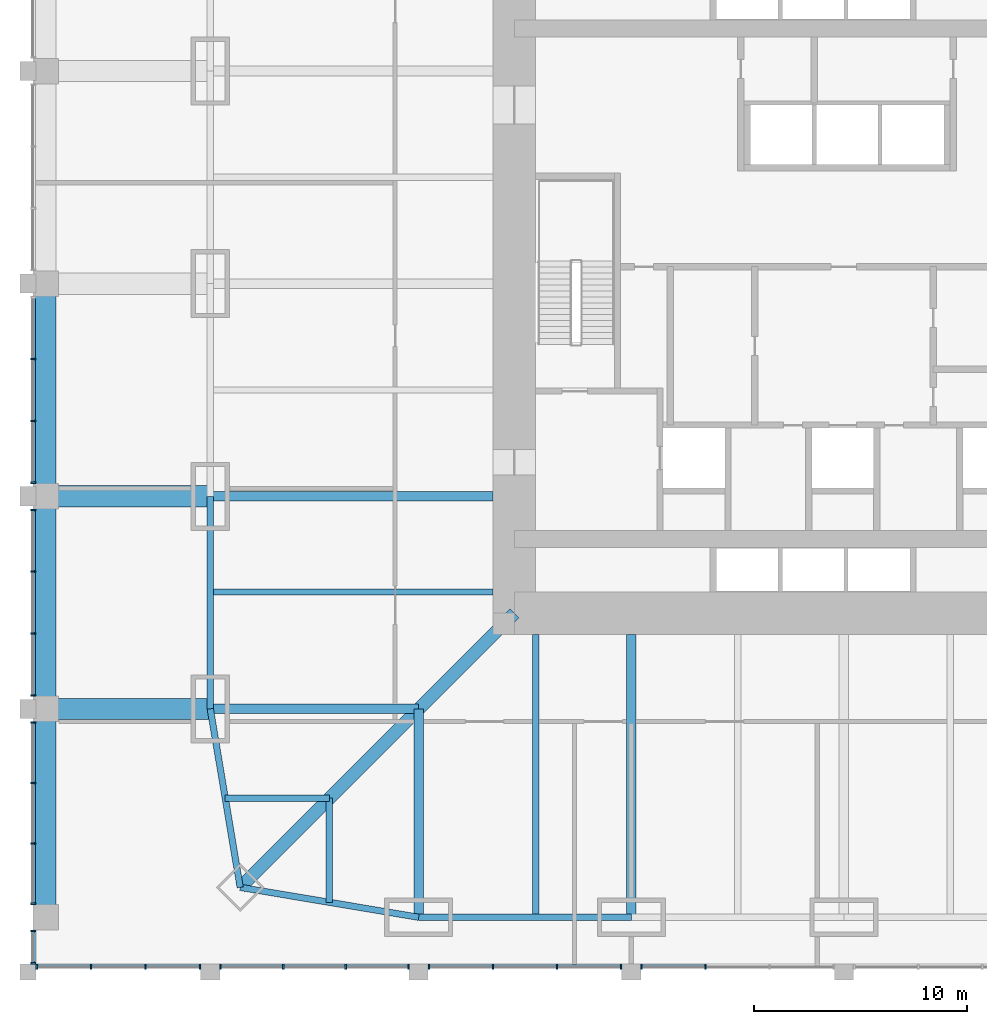
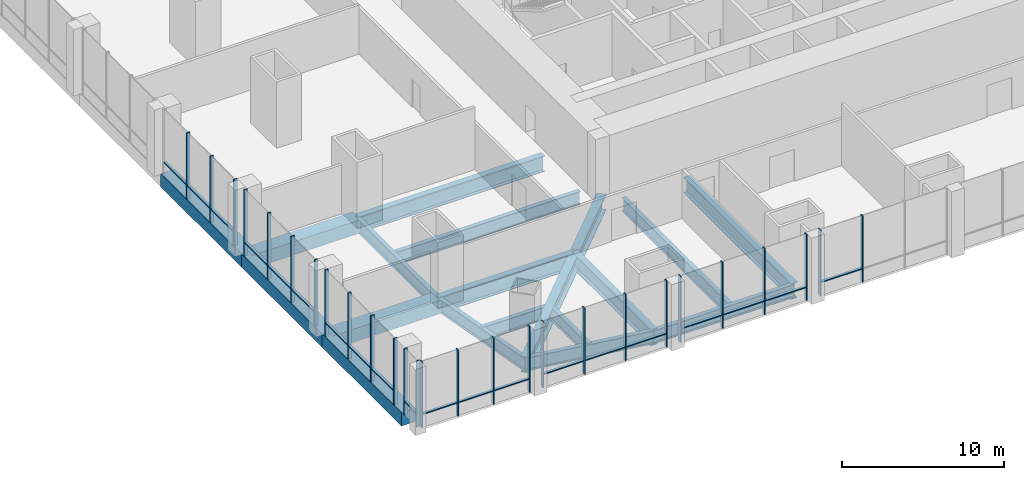
# One storey, part 2 of 24: 47 members, 18 beams, 8 elements without a shape of their own.
"""IFC4 building model written with IfcOpenShell, lengths in metres."""

from ifc_helpers import new_model, si_unit, direction, frame, origin, origin_2d, place, context, subcontext, project, spatial, rectangle, i_section, extrude, material, material_profile, profile_set, type_object, element, aggregate, save


model = new_model("IFC4")

# Units and contexts
model_context = context("Model", 3, precision=1e-05, world=origin(), true_north=direction((0.0, 1.0)))
body_context = subcontext(model_context, "Body", "Model", "MODEL_VIEW")
ifc_project = project(units=[si_unit("LENGTHUNIT", "METRE"), si_unit("AREAUNIT", "SQUARE_METRE"), si_unit("VOLUMEUNIT", "CUBIC_METRE"), si_unit("PLANEANGLEUNIT", "RADIAN"), si_unit("MASSUNIT", "GRAM", prefix="KILO")], contexts=[model_context])

# Site, building, storey
site_placement = place(None, origin())
site = spatial("IfcSite", under=ifc_project, at=site_placement, CompositionType="ELEMENT")
building_placement = place(site_placement, origin())
building = spatial("IfcBuilding", under=site, at=building_placement, Name="Khuree Lantern Residences", CompositionType="ELEMENT")
storey_placement = place(building_placement, frame((0.0, 0.0, 6.0)))
storey = spatial("IfcBuildingStorey", under=building, at=storey_placement, Name="L01", CompositionType="ELEMENT", Elevation=6.0)

# Beams
ifc_material_1 = material(Name="Steel S355", Category="steel")
ifc_material_profile_1 = material_profile(ifc_material_1, i_section(OverallWidth=0.300048828125, OverallDepth=1.0, WebThickness=0.01904296875, FlangeThickness=0.035888671875, FilletRadius=0.030029296875, at=origin_2d()), Name="HE 1000 B")
ifc_profile_set_1 = profile_set([ifc_material_profile_1], Name="Steel S355")
beam_type_1 = type_object("IfcBeamType", Name="B-01 SECONDARY BEAM HE 1000 B", PredefinedType="BEAM", material=ifc_profile_set_1)
beam_1_placement = place(storey_placement, frame((-14.5, -29.800048828125, -0.800048828125), z_axis=(0.0, 1.0, 0.0), x_axis=(-1.0, 0.0, 0.0)))
element("IfcBeam", 1, at=beam_1_placement, inside=storey, type_object=beam_type_1, Name="Secondary beam S5", PredefinedType="BEAM", context=body_context, shape_type="SweptSolid", body=[
    extrude(i_section(OverallWidth=0.300048828125, OverallDepth=1.0, WebThickness=0.01904296875, FlangeThickness=0.035888671875, FilletRadius=0.030029296875, at=origin_2d()), origin(), (0.0, 0.0, 1.0), 13.300048828125),
])
for number, where, z_axis, x_axis, name in (
    (2, (-24.197021484375, -29.09716796875, -0.800048828125), (0.0, 1.0, 0.0), (-1.0, 0.0, 0.0), "Secondary beam S6"),
    (3, (-29.09716796875, -24.197021484375, -0.800048828125), (1.0, 0.0, 0.0), (0.0, 1.0, 0.0), "Secondary beam W1"),
):
    element("IfcBeam", number, at=place(storey_placement, frame(where, z_axis=z_axis, x_axis=x_axis)), inside=storey, type_object=beam_type_1, Name=name, PredefinedType="BEAM", context=body_context, shape_type="SweptSolid", body=[
        extrude(i_section(OverallWidth=0.300048828125, OverallDepth=1.0, WebThickness=0.01904296875, FlangeThickness=0.035888671875, FilletRadius=0.030029296875, at=origin_2d()), origin(), (0.0, 0.0, 1.0), 4.900146484375),
    ])
beam_2_placement = place(storey_placement, frame((-29.800048828125, -14.5, -0.800048828125), z_axis=(1.0, 0.0, 0.0), x_axis=(0.0, 1.0, 0.0)))
element("IfcBeam", 4, at=beam_2_placement, inside=storey, type_object=beam_type_1, Name="Secondary beam W2", PredefinedType="BEAM", context=body_context, shape_type="SweptSolid", body=[
    extrude(i_section(OverallWidth=0.300048828125, OverallDepth=1.0, WebThickness=0.01904296875, FlangeThickness=0.035888671875, FilletRadius=0.030029296875, at=origin_2d()), origin(), (0.0, 0.0, 1.0), 13.300048828125),
])
ifc_material_profile_2 = material_profile(ifc_material_1, i_section(OverallWidth=0.300048828125, OverallDepth=1.0, WebThickness=0.01904296875, FlangeThickness=0.035888671875, FilletRadius=0.030029296875, at=origin_2d()), Name="HE 1000 B")
ifc_profile_set_2 = profile_set([ifc_material_profile_2], Name="Steel S355")
beam_type_2 = type_object("IfcBeamType", Name="E-01 SPANDREL BEAM HE 1000 B", PredefinedType="SPANDREL", material=ifc_profile_set_2)
beam_3_placement = place(storey_placement, frame((-10.0, -29.800048828125, -0.800048828125), z_axis=(-1.0, 0.0, 0.0), x_axis=(0.0, -1.0, 0.0)))
element("IfcBeam", 5, at=beam_3_placement, inside=storey, type_object=beam_type_2, Name="Spandrel beam S5", PredefinedType="SPANDREL", context=body_context, shape_type="SweptSolid", body=[
    extrude(i_section(OverallWidth=0.300048828125, OverallDepth=1.0, WebThickness=0.01904296875, FlangeThickness=0.035888671875, FilletRadius=0.030029296875, at=origin_2d()), origin(), (0.0, 0.0, 1.0), 10.0),
])
for number, where, z_axis, x_axis, name in (
    (6, (-20.0, -29.800048828125, -0.800048828125), (-0.986260251158, 0.165199022349, 0.0), (-0.165199022349, -0.986260251158, 0.0), "Spandrel beam S6"),
    (7, (-28.39404296875, -28.39404296875, -0.800048828125), (-0.165199022349, 0.986260251158, 0.0), (-0.986260251158, -0.165199022349, 0.0), "Spandrel beam W1"),
):
    element("IfcBeam", number, at=place(storey_placement, frame(where, z_axis=z_axis, x_axis=x_axis)), inside=storey, type_object=beam_type_2, Name=name, PredefinedType="SPANDREL", context=body_context, shape_type="SweptSolid", body=[
        extrude(i_section(OverallWidth=0.300048828125, OverallDepth=1.0, WebThickness=0.01904296875, FlangeThickness=0.035888671875, FilletRadius=0.030029296875, at=origin_2d()), origin(), (0.0, 0.0, 1.0), 8.510986328125),
    ])
beam_4_placement = place(storey_placement, frame((-29.800048828125, -20.0, -0.800048828125), z_axis=(0.0, 1.0, 0.0), x_axis=(-1.0, 0.0, 0.0)))
element("IfcBeam", 8, at=beam_4_placement, inside=storey, type_object=beam_type_2, Name="Spandrel beam W2", PredefinedType="SPANDREL", context=body_context, shape_type="SweptSolid", body=[
    extrude(i_section(OverallWidth=0.300048828125, OverallDepth=1.0, WebThickness=0.01904296875, FlangeThickness=0.035888671875, FilletRadius=0.030029296875, at=origin_2d()), origin(), (0.0, 0.0, 1.0), 10.0),
])
ifc_material_profile_3 = material_profile(ifc_material_1, i_section(OverallWidth=0.449951171875, OverallDepth=1.199951171875, WebThickness=0.02490234375, FlangeThickness=0.044921875, at=origin_2d()), Name="WELDED I 1200X450X25X45")
ifc_profile_set_3 = profile_set([ifc_material_profile_3], Name="Steel S355")
beam_type_3 = type_object("IfcBeamType", Name="G-01 GIRDER WELDED I 1200X450X25X45", PredefinedType="BEAM", material=ifc_profile_set_3)
beam_5_placement = place(storey_placement, frame((-10.0, -29.800048828125, -0.89990234375), z_axis=(0.0, 1.0, 0.0), x_axis=(-1.0, 0.0, 0.0)))
element("IfcBeam", 9, at=beam_5_placement, inside=storey, type_object=beam_type_3, Name="Girder S4", PredefinedType="BEAM", context=body_context, shape_type="SweptSolid", body=[
    extrude(i_section(OverallWidth=0.449951171875, OverallDepth=1.199951171875, WebThickness=0.02490234375, FlangeThickness=0.044921875, at=origin_2d()), origin(), (0.0, 0.0, 1.0), 13.300048828125),
])
for number, where, z_axis, x_axis, name in (
    (10, (-20.0, -29.800048828125, -0.89990234375), (0.0, 1.0, 0.0), (-1.0, 0.0, 0.0), "Girder S5"),
    (11, (-29.800048828125, -20.0, -0.89990234375), (1.0, 0.0, 0.0), (0.0, 1.0, 0.0), "Girder W1"),
):
    element("IfcBeam", number, at=place(storey_placement, frame(where, z_axis=z_axis, x_axis=x_axis)), inside=storey, type_object=beam_type_3, Name=name, PredefinedType="BEAM", context=body_context, shape_type="SweptSolid", body=[
        extrude(i_section(OverallWidth=0.449951171875, OverallDepth=1.199951171875, WebThickness=0.02490234375, FlangeThickness=0.044921875, at=origin_2d()), origin(), (0.0, 0.0, 1.0), 9.800048828125),
    ])
beam_6_placement = place(storey_placement, frame((-29.800048828125, -10.0, -0.89990234375), z_axis=(1.0, 0.0, 0.0), x_axis=(0.0, 1.0, 0.0)))
element("IfcBeam", 12, at=beam_6_placement, inside=storey, type_object=beam_type_3, Name="Girder W2", PredefinedType="BEAM", context=body_context, shape_type="SweptSolid", body=[
    extrude(i_section(OverallWidth=0.449951171875, OverallDepth=1.199951171875, WebThickness=0.02490234375, FlangeThickness=0.044921875, at=origin_2d()), origin(), (0.0, 0.0, 1.0), 13.300048828125),
])
ifc_material_profile_4 = material_profile(ifc_material_1, i_section(OverallWidth=0.60009765625, OverallDepth=1.199951171875, WebThickness=0.030029296875, FlangeThickness=0.06005859375, at=origin_2d()), Name="WELDED I 1200X600X30X60")
ifc_profile_set_4 = profile_set([ifc_material_profile_4], Name="Steel S355")
beam_type_4 = type_object("IfcBeamType", Name="GD-01 CORNER GIRDER WELDED I 1200X600X30X60", PredefinedType="BEAM", material=ifc_profile_set_4)
beam_7_placement = place(storey_placement, frame((-28.39404296875, -28.39404296875, -0.89990234375), z_axis=(0.707106781187, 0.707106781187, 0.0), x_axis=(-0.707106781187, 0.707106781187, 0.0)))
element("IfcBeam", 13, at=beam_7_placement, inside=storey, type_object=beam_type_4, Name="Corner girder SW", PredefinedType="BEAM", context=body_context, shape_type="SweptSolid", body=[
    extrude(i_section(OverallWidth=0.60009765625, OverallDepth=1.199951171875, WebThickness=0.030029296875, FlangeThickness=0.06005859375, at=origin_2d()), origin(), (0.0, 0.0, 1.0), 18.23486328125),
])

# Curtain wall, members
ifc_material_2 = material(Name="Bronze anodised aluminium", Category="aluminium")
curtain_wall_type = type_object("IfcCurtainWallType", Name="CW-P PODIUM STOREFRONT CURTAIN WALL", PredefinedType="USERDEFINED", material=ifc_material_2)
curtain_wall_1_placement = place(storey_placement, origin())
curtain_wall_1 = element("IfcCurtainWall", 14, at=curtain_wall_1_placement, inside=storey, type_object=curtain_wall_type, Name="L01 SOUTH FACE BAY 1 STOREFRONT", ObjectType="Storefront curtain wall", PredefinedType="USERDEFINED")
ifc_material_profile_5 = material_profile(ifc_material_2, rectangle(XDim=0.074951171875, YDim=0.25, at=origin_2d()), Name="M5 75X250")
ifc_profile_set_5 = profile_set([ifc_material_profile_5], Name="Bronze anodised aluminium")
member_type_1 = type_object("IfcMemberType", Name="MULLION M5 STOREFRONT 75X250", PredefinedType="MULLION", material=ifc_profile_set_5)
member_1_placement = place(storey_placement, frame((-37.96240234375, -32.125, 0.0), z_axis=(0.0, 0.0, 1.0), x_axis=(1.0, 0.0, 0.0)))
member_1 = element("IfcMember", 15, at=member_1_placement, type_object=member_type_1, Name="L01 SOUTH FACE BAY 1 MULLION 1", PredefinedType="MULLION", context=body_context, shape_type="SweptSolid", body=[
    extrude(rectangle(XDim=0.074951171875, YDim=0.25, at=origin_2d()), origin(), (0.0, 0.0, 1.0), 5.0),
])
member_2_placement = place(storey_placement, frame((-35.404052734375, -32.125, 0.0), z_axis=(0.0, 0.0, 1.0), x_axis=(1.0, 0.0, 0.0)))
member_2 = element("IfcMember", 16, at=member_2_placement, type_object=member_type_1, Name="L01 SOUTH FACE BAY 1 MULLION 2", PredefinedType="MULLION", context=body_context, shape_type="SweptSolid", body=[
    extrude(rectangle(XDim=0.074951171875, YDim=0.25, at=origin_2d()), origin(), (0.0, 0.0, 1.0), 5.0),
])
member_3_placement = place(storey_placement, frame((-32.845947265625, -32.125, 0.0), z_axis=(0.0, 0.0, 1.0), x_axis=(1.0, 0.0, 0.0)))
member_3 = element("IfcMember", 17, at=member_3_placement, type_object=member_type_1, Name="L01 SOUTH FACE BAY 1 MULLION 3", PredefinedType="MULLION", context=body_context, shape_type="SweptSolid", body=[
    extrude(rectangle(XDim=0.074951171875, YDim=0.25, at=origin_2d()), origin(), (0.0, 0.0, 1.0), 5.0),
])
member_4_placement = place(storey_placement, frame((-30.28759765625, -32.125, 0.0), z_axis=(0.0, 0.0, 1.0), x_axis=(1.0, 0.0, 0.0)))
member_4 = element("IfcMember", 18, at=member_4_placement, type_object=member_type_1, Name="L01 SOUTH FACE BAY 1 MULLION 4", PredefinedType="MULLION", context=body_context, shape_type="SweptSolid", body=[
    extrude(rectangle(XDim=0.074951171875, YDim=0.25, at=origin_2d()), origin(), (0.0, 0.0, 1.0), 5.0),
])

curtain_wall_2_placement = place(storey_placement, origin())
curtain_wall_2 = element("IfcCurtainWall", 19, at=curtain_wall_2_placement, inside=storey, type_object=curtain_wall_type, Name="L01 SOUTH FACE BAY 2 STOREFRONT", ObjectType="Storefront curtain wall", PredefinedType="USERDEFINED")
member_5_placement = place(storey_placement, frame((-29.3125, -32.125, 0.0), z_axis=(0.0, 0.0, 1.0), x_axis=(1.0, 0.0, 0.0)))
member_5 = element("IfcMember", 20, at=member_5_placement, type_object=member_type_1, Name="L01 SOUTH FACE BAY 2 MULLION 1", PredefinedType="MULLION", context=body_context, shape_type="SweptSolid", body=[
    extrude(rectangle(XDim=0.074951171875, YDim=0.25, at=origin_2d()), origin(), (0.0, 0.0, 1.0), 5.0),
])
member_6_placement = place(storey_placement, frame((-26.370849609375, -32.125, 0.0), z_axis=(0.0, 0.0, 1.0), x_axis=(1.0, 0.0, 0.0)))
member_6 = element("IfcMember", 21, at=member_6_placement, type_object=member_type_1, Name="L01 SOUTH FACE BAY 2 MULLION 2", PredefinedType="MULLION", context=body_context, shape_type="SweptSolid", body=[
    extrude(rectangle(XDim=0.074951171875, YDim=0.25, at=origin_2d()), origin(), (0.0, 0.0, 1.0), 5.0),
])
member_7_placement = place(storey_placement, frame((-23.42919921875, -32.125, 0.0), z_axis=(0.0, 0.0, 1.0), x_axis=(1.0, 0.0, 0.0)))
member_7 = element("IfcMember", 22, at=member_7_placement, type_object=member_type_1, Name="L01 SOUTH FACE BAY 2 MULLION 3", PredefinedType="MULLION", context=body_context, shape_type="SweptSolid", body=[
    extrude(rectangle(XDim=0.074951171875, YDim=0.25, at=origin_2d()), origin(), (0.0, 0.0, 1.0), 5.0),
])
member_8_placement = place(storey_placement, frame((-20.487548828125, -32.125, 0.0), z_axis=(0.0, 0.0, 1.0), x_axis=(1.0, 0.0, 0.0)))
member_8 = element("IfcMember", 23, at=member_8_placement, type_object=member_type_1, Name="L01 SOUTH FACE BAY 2 MULLION 4", PredefinedType="MULLION", context=body_context, shape_type="SweptSolid", body=[
    extrude(rectangle(XDim=0.074951171875, YDim=0.25, at=origin_2d()), origin(), (0.0, 0.0, 1.0), 5.0),
])

curtain_wall_3_placement = place(storey_placement, origin())
curtain_wall_3 = element("IfcCurtainWall", 24, at=curtain_wall_3_placement, inside=storey, type_object=curtain_wall_type, Name="L01 SOUTH FACE BAY 3 STOREFRONT", ObjectType="Storefront curtain wall", PredefinedType="USERDEFINED")
member_9_placement = place(storey_placement, frame((-19.512451171875, -32.125, 0.0), z_axis=(0.0, 0.0, 1.0), x_axis=(1.0, 0.0, 0.0)))
member_9 = element("IfcMember", 25, at=member_9_placement, type_object=member_type_1, Name="L01 SOUTH FACE BAY 3 MULLION 1", PredefinedType="MULLION", context=body_context, shape_type="SweptSolid", body=[
    extrude(rectangle(XDim=0.074951171875, YDim=0.25, at=origin_2d()), origin(), (0.0, 0.0, 1.0), 5.0),
])
member_10_placement = place(storey_placement, frame((-16.504150390625, -32.125, 0.0), z_axis=(0.0, 0.0, 1.0), x_axis=(1.0, 0.0, 0.0)))
member_10 = element("IfcMember", 26, at=member_10_placement, type_object=member_type_1, Name="L01 SOUTH FACE BAY 3 MULLION 2", PredefinedType="MULLION", context=body_context, shape_type="SweptSolid", body=[
    extrude(rectangle(XDim=0.074951171875, YDim=0.25, at=origin_2d()), origin(), (0.0, 0.0, 1.0), 5.0),
])
member_11_placement = place(storey_placement, frame((-13.495849609375, -32.125, 0.0), z_axis=(0.0, 0.0, 1.0), x_axis=(1.0, 0.0, 0.0)))
member_11 = element("IfcMember", 27, at=member_11_placement, type_object=member_type_1, Name="L01 SOUTH FACE BAY 3 MULLION 3", PredefinedType="MULLION", context=body_context, shape_type="SweptSolid", body=[
    extrude(rectangle(XDim=0.074951171875, YDim=0.25, at=origin_2d()), origin(), (0.0, 0.0, 1.0), 5.0),
])
member_12_placement = place(storey_placement, frame((-10.487548828125, -32.125, 0.0), z_axis=(0.0, 0.0, 1.0), x_axis=(1.0, 0.0, 0.0)))
member_12 = element("IfcMember", 28, at=member_12_placement, type_object=member_type_1, Name="L01 SOUTH FACE BAY 3 MULLION 4", PredefinedType="MULLION", context=body_context, shape_type="SweptSolid", body=[
    extrude(rectangle(XDim=0.074951171875, YDim=0.25, at=origin_2d()), origin(), (0.0, 0.0, 1.0), 5.0),
])

curtain_wall_4_placement = place(storey_placement, origin())
curtain_wall_4 = element("IfcCurtainWall", 29, at=curtain_wall_4_placement, inside=storey, type_object=curtain_wall_type, Name="L01 SOUTH FACE BAY 4 STOREFRONT", ObjectType="Storefront curtain wall", PredefinedType="USERDEFINED")
member_13_placement = place(storey_placement, frame((-9.512451171875, -32.125, 0.0), z_axis=(0.0, 0.0, 1.0), x_axis=(1.0, 0.0, 0.0)))
member_13 = element("IfcMember", 30, at=member_13_placement, type_object=member_type_1, Name="L01 SOUTH FACE BAY 4 MULLION 1", PredefinedType="MULLION", context=body_context, shape_type="SweptSolid", body=[
    extrude(rectangle(XDim=0.074951171875, YDim=0.25, at=origin_2d()), origin(), (0.0, 0.0, 1.0), 5.0),
])
member_14_placement = place(storey_placement, frame((-6.504150390625, -32.125, 0.0), z_axis=(0.0, 0.0, 1.0), x_axis=(1.0, 0.0, 0.0)))
member_14 = element("IfcMember", 31, at=member_14_placement, type_object=member_type_1, Name="L01 SOUTH FACE BAY 4 MULLION 2", PredefinedType="MULLION", context=body_context, shape_type="SweptSolid", body=[
    extrude(rectangle(XDim=0.074951171875, YDim=0.25, at=origin_2d()), origin(), (0.0, 0.0, 1.0), 5.0),
])

curtain_wall_5_placement = place(storey_placement, origin())
curtain_wall_5 = element("IfcCurtainWall", 32, at=curtain_wall_5_placement, inside=storey, type_object=curtain_wall_type, Name="L01 WEST FACE BAY 6 STOREFRONT", ObjectType="Storefront curtain wall", PredefinedType="USERDEFINED")
member_15_placement = place(storey_placement, frame((-38.125, -3.5458984375, 0.0), z_axis=(0.0, 0.0, 1.0), x_axis=(0.0, -1.0, 0.0)))
member_15 = element("IfcMember", 33, at=member_15_placement, type_object=member_type_1, Name="L01 WEST FACE BAY 6 MULLION 2", PredefinedType="MULLION", context=body_context, shape_type="SweptSolid", body=[
    extrude(rectangle(XDim=0.074951171875, YDim=0.25, at=origin_2d()), origin(), (0.0, 0.0, 1.0), 5.0),
])
member_16_placement = place(storey_placement, frame((-38.125, -6.4541015625, 0.0), z_axis=(0.0, 0.0, 1.0), x_axis=(0.0, -1.0, 0.0)))
member_16 = element("IfcMember", 34, at=member_16_placement, type_object=member_type_1, Name="L01 WEST FACE BAY 6 MULLION 3", PredefinedType="MULLION", context=body_context, shape_type="SweptSolid", body=[
    extrude(rectangle(XDim=0.074951171875, YDim=0.25, at=origin_2d()), origin(), (0.0, 0.0, 1.0), 5.0),
])
member_17_placement = place(storey_placement, frame((-38.125, -9.362548828125, 0.0), z_axis=(0.0, 0.0, 1.0), x_axis=(0.0, -1.0, 0.0)))
member_17 = element("IfcMember", 35, at=member_17_placement, type_object=member_type_1, Name="L01 WEST FACE BAY 6 MULLION 4", PredefinedType="MULLION", context=body_context, shape_type="SweptSolid", body=[
    extrude(rectangle(XDim=0.074951171875, YDim=0.25, at=origin_2d()), origin(), (0.0, 0.0, 1.0), 5.0),
])

curtain_wall_6_placement = place(storey_placement, origin())
curtain_wall_6 = element("IfcCurtainWall", 36, at=curtain_wall_6_placement, inside=storey, type_object=curtain_wall_type, Name="L01 WEST FACE BAY 7 STOREFRONT", ObjectType="Storefront curtain wall", PredefinedType="USERDEFINED")
member_18_placement = place(storey_placement, frame((-38.125, -10.637451171875, 0.0), z_axis=(0.0, 0.0, 1.0), x_axis=(0.0, -1.0, 0.0)))
member_18 = element("IfcMember", 37, at=member_18_placement, type_object=member_type_1, Name="L01 WEST FACE BAY 7 MULLION 1", PredefinedType="MULLION", context=body_context, shape_type="SweptSolid", body=[
    extrude(rectangle(XDim=0.074951171875, YDim=0.25, at=origin_2d()), origin(), (0.0, 0.0, 1.0), 5.0),
])
member_19_placement = place(storey_placement, frame((-38.125, -13.5458984375, 0.0), z_axis=(0.0, 0.0, 1.0), x_axis=(0.0, -1.0, 0.0)))
member_19 = element("IfcMember", 38, at=member_19_placement, type_object=member_type_1, Name="L01 WEST FACE BAY 7 MULLION 2", PredefinedType="MULLION", context=body_context, shape_type="SweptSolid", body=[
    extrude(rectangle(XDim=0.074951171875, YDim=0.25, at=origin_2d()), origin(), (0.0, 0.0, 1.0), 5.0),
])
member_20_placement = place(storey_placement, frame((-38.125, -16.4541015625, 0.0), z_axis=(0.0, 0.0, 1.0), x_axis=(0.0, -1.0, 0.0)))
member_20 = element("IfcMember", 39, at=member_20_placement, type_object=member_type_1, Name="L01 WEST FACE BAY 7 MULLION 3", PredefinedType="MULLION", context=body_context, shape_type="SweptSolid", body=[
    extrude(rectangle(XDim=0.074951171875, YDim=0.25, at=origin_2d()), origin(), (0.0, 0.0, 1.0), 5.0),
])
member_21_placement = place(storey_placement, frame((-38.125, -19.362548828125, 0.0), z_axis=(0.0, 0.0, 1.0), x_axis=(0.0, -1.0, 0.0)))
member_21 = element("IfcMember", 40, at=member_21_placement, type_object=member_type_1, Name="L01 WEST FACE BAY 7 MULLION 4", PredefinedType="MULLION", context=body_context, shape_type="SweptSolid", body=[
    extrude(rectangle(XDim=0.074951171875, YDim=0.25, at=origin_2d()), origin(), (0.0, 0.0, 1.0), 5.0),
])

curtain_wall_7_placement = place(storey_placement, origin())
curtain_wall_7 = element("IfcCurtainWall", 41, at=curtain_wall_7_placement, inside=storey, type_object=curtain_wall_type, Name="L01 WEST FACE BAY 8 STOREFRONT", ObjectType="Storefront curtain wall", PredefinedType="USERDEFINED")
member_22_placement = place(storey_placement, frame((-38.125, -20.637451171875, 0.0), z_axis=(0.0, 0.0, 1.0), x_axis=(0.0, -1.0, 0.0)))
member_22 = element("IfcMember", 42, at=member_22_placement, type_object=member_type_1, Name="L01 WEST FACE BAY 8 MULLION 1", PredefinedType="MULLION", context=body_context, shape_type="SweptSolid", body=[
    extrude(rectangle(XDim=0.074951171875, YDim=0.25, at=origin_2d()), origin(), (0.0, 0.0, 1.0), 5.0),
])
member_23_placement = place(storey_placement, frame((-38.125, -23.479248046875, 0.0), z_axis=(0.0, 0.0, 1.0), x_axis=(0.0, -1.0, 0.0)))
member_23 = element("IfcMember", 43, at=member_23_placement, type_object=member_type_1, Name="L01 WEST FACE BAY 8 MULLION 2", PredefinedType="MULLION", context=body_context, shape_type="SweptSolid", body=[
    extrude(rectangle(XDim=0.074951171875, YDim=0.25, at=origin_2d()), origin(), (0.0, 0.0, 1.0), 5.0),
])
member_24_placement = place(storey_placement, frame((-38.125, -26.32080078125, 0.0), z_axis=(0.0, 0.0, 1.0), x_axis=(0.0, -1.0, 0.0)))
member_24 = element("IfcMember", 44, at=member_24_placement, type_object=member_type_1, Name="L01 WEST FACE BAY 8 MULLION 3", PredefinedType="MULLION", context=body_context, shape_type="SweptSolid", body=[
    extrude(rectangle(XDim=0.074951171875, YDim=0.25, at=origin_2d()), origin(), (0.0, 0.0, 1.0), 5.0),
])
member_25_placement = place(storey_placement, frame((-38.125, -29.16259765625, 0.0), z_axis=(0.0, 0.0, 1.0), x_axis=(0.0, -1.0, 0.0)))
member_25 = element("IfcMember", 45, at=member_25_placement, type_object=member_type_1, Name="L01 WEST FACE BAY 8 MULLION 4", PredefinedType="MULLION", context=body_context, shape_type="SweptSolid", body=[
    extrude(rectangle(XDim=0.074951171875, YDim=0.25, at=origin_2d()), origin(), (0.0, 0.0, 1.0), 5.0),
])

curtain_wall_8_placement = place(storey_placement, origin())
curtain_wall_8 = element("IfcCurtainWall", 46, at=curtain_wall_8_placement, inside=storey, type_object=curtain_wall_type, Name="L01 WEST FACE BAY 8B STOREFRONT", ObjectType="Storefront curtain wall", PredefinedType="USERDEFINED")
member_26_placement = place(storey_placement, frame((-38.125, -30.4375, 0.0), z_axis=(0.0, 0.0, 1.0), x_axis=(0.0, -1.0, 0.0)))
member_26 = element("IfcMember", 47, at=member_26_placement, type_object=member_type_1, Name="L01 WEST FACE BAY 8B MULLION 1", PredefinedType="MULLION", context=body_context, shape_type="SweptSolid", body=[
    extrude(rectangle(XDim=0.074951171875, YDim=0.25, at=origin_2d()), origin(), (0.0, 0.0, 1.0), 5.0),
])
member_27_placement = place(storey_placement, frame((-38.125, -31.96240234375, 0.0), z_axis=(0.0, 0.0, 1.0), x_axis=(0.0, -1.0, 0.0)))
member_27 = element("IfcMember", 48, at=member_27_placement, type_object=member_type_1, Name="L01 WEST FACE BAY 8B MULLION 2", PredefinedType="MULLION", context=body_context, shape_type="SweptSolid", body=[
    extrude(rectangle(XDim=0.074951171875, YDim=0.25, at=origin_2d()), origin(), (0.0, 0.0, 1.0), 5.0),
])

# Beams
ifc_material_3 = material(Name="Concrete C40/50", Category="concrete")
ifc_material_profile_6 = material_profile(ifc_material_3, rectangle(XDim=1.0, YDim=1.0, at=origin_2d()), Name="RC 1000X1000")
ifc_profile_set_6 = profile_set([ifc_material_profile_6], Name="Concrete C40/50")
beam_type_5 = type_object("IfcBeamType", Name="RB3 PODIUM BEAM RC 1000X1000", PredefinedType="BEAM", material=ifc_profile_set_6)
for number, where, z_axis, x_axis, name in (
    (49, (-37.550048828125, -20.0, -0.800048828125), (1.0, 0.0, 0.0), (0.0, 1.0, 0.0), "Podium beam RB-1"),
    (50, (-37.550048828125, -10.0, -0.800048828125), (1.0, 0.0, 0.0), (0.0, 1.0, 0.0), "Podium beam RB-3"),
):
    element("IfcBeam", number, at=place(storey_placement, frame(where, z_axis=z_axis, x_axis=x_axis)), inside=storey, type_object=beam_type_5, Name=name, PredefinedType="BEAM", context=body_context, shape_type="SweptSolid", body=[
        extrude(rectangle(XDim=1.0, YDim=1.0, at=origin_2d()), origin(), (0.0, 0.0, 1.0), 7.75),
    ])
beam_8_placement = place(storey_placement, frame((-37.550048828125, -29.800048828125, -0.800048828125), z_axis=(0.0, 1.0, 0.0), x_axis=(-1.0, 0.0, 0.0)))
element("IfcBeam", 51, at=beam_8_placement, inside=storey, type_object=beam_type_5, Name="Podium beam RB-25", PredefinedType="BEAM", context=body_context, shape_type="SweptSolid", body=[
    extrude(rectangle(XDim=1.0, YDim=1.0, at=origin_2d()), origin(), (0.0, 0.0, 1.0), 9.800048828125),
])
for number, where, z_axis, x_axis, name in (
    (52, (-37.550048828125, -20.0, -0.800048828125), (0.0, 1.0, 0.0), (-1.0, 0.0, 0.0), "Podium beam RB-26"),
    (53, (-37.550048828125, -10.0, -0.800048828125), (0.0, 1.0, 0.0), (-1.0, 0.0, 0.0), "Podium beam RB-27"),
):
    element("IfcBeam", number, at=place(storey_placement, frame(where, z_axis=z_axis, x_axis=x_axis)), inside=storey, type_object=beam_type_5, Name=name, PredefinedType="BEAM", context=body_context, shape_type="SweptSolid", body=[
        extrude(rectangle(XDim=1.0, YDim=1.0, at=origin_2d()), origin(), (0.0, 0.0, 1.0), 10.0),
    ])

# Member
ifc_material_profile_7 = material_profile(ifc_material_2, rectangle(XDim=0.199951171875, YDim=0.074951171875, at=origin_2d()), Name="T5 200X75")
ifc_profile_set_7 = profile_set([ifc_material_profile_7], Name="Bronze anodised aluminium")
member_type_2 = type_object("IfcMemberType", Name="TRANSOM T5 STOREFRONT 200X75", PredefinedType="USERDEFINED", material=ifc_profile_set_7)
member_28_placement = place(storey_placement, frame((-37.925048828125, -32.1201171875, 1.0), z_axis=(1.0, 0.0, 0.0), x_axis=(0.0, 1.0, 0.0)))
member_28 = element("IfcMember", 54, at=member_28_placement, type_object=member_type_2, Name="L01 SOUTH FACE BAY 1 TRANSOM 1", ObjectType="Transom", PredefinedType="USERDEFINED", context=body_context, shape_type="SweptSolid", body=[
    extrude(rectangle(XDim=0.199951171875, YDim=0.074951171875, at=origin_2d()), origin(), (0.0, 0.0, 1.0), 2.4833984375),
])

member_29_placement = place(storey_placement, frame((-35.36669921875, -32.1201171875, 1.0), z_axis=(1.0, 0.0, 0.0), x_axis=(0.0, 1.0, 0.0)))
member_29 = element("IfcMember", 55, at=member_29_placement, type_object=member_type_2, Name="L01 SOUTH FACE BAY 1 TRANSOM 2", ObjectType="Transom", PredefinedType="USERDEFINED", context=body_context, shape_type="SweptSolid", body=[
    extrude(rectangle(XDim=0.199951171875, YDim=0.074951171875, at=origin_2d()), origin(), (0.0, 0.0, 1.0), 2.4833984375),
])

member_30_placement = place(storey_placement, frame((-32.808349609375, -32.1201171875, 1.0), z_axis=(1.0, 0.0, 0.0), x_axis=(0.0, 1.0, 0.0)))
member_30 = element("IfcMember", 56, at=member_30_placement, type_object=member_type_2, Name="L01 SOUTH FACE BAY 1 TRANSOM 3", ObjectType="Transom", PredefinedType="USERDEFINED", context=body_context, shape_type="SweptSolid", body=[
    extrude(rectangle(XDim=0.199951171875, YDim=0.074951171875, at=origin_2d()), origin(), (0.0, 0.0, 1.0), 2.4833984375),
])

aggregate(curtain_wall_1, [member_1, member_2, member_3, member_4, member_28, member_29, member_30])

member_31_placement = place(storey_placement, frame((-29.27490234375, -32.1201171875, 1.0), z_axis=(1.0, 0.0, 0.0), x_axis=(0.0, 1.0, 0.0)))
member_31 = element("IfcMember", 57, at=member_31_placement, type_object=member_type_2, Name="L01 SOUTH FACE BAY 2 TRANSOM 1", ObjectType="Transom", PredefinedType="USERDEFINED", context=body_context, shape_type="SweptSolid", body=[
    extrude(rectangle(XDim=0.199951171875, YDim=0.074951171875, at=origin_2d()), origin(), (0.0, 0.0, 1.0), 2.866455078125),
])

member_32_placement = place(storey_placement, frame((-26.333251953125, -32.1201171875, 1.0), z_axis=(1.0, 0.0, 0.0), x_axis=(0.0, 1.0, 0.0)))
member_32 = element("IfcMember", 58, at=member_32_placement, type_object=member_type_2, Name="L01 SOUTH FACE BAY 2 TRANSOM 2", ObjectType="Transom", PredefinedType="USERDEFINED", context=body_context, shape_type="SweptSolid", body=[
    extrude(rectangle(XDim=0.199951171875, YDim=0.074951171875, at=origin_2d()), origin(), (0.0, 0.0, 1.0), 2.86669921875),
])

member_33_placement = place(storey_placement, frame((-23.3916015625, -32.1201171875, 1.0), z_axis=(1.0, 0.0, 0.0), x_axis=(0.0, 1.0, 0.0)))
member_33 = element("IfcMember", 59, at=member_33_placement, type_object=member_type_2, Name="L01 SOUTH FACE BAY 2 TRANSOM 3", ObjectType="Transom", PredefinedType="USERDEFINED", context=body_context, shape_type="SweptSolid", body=[
    extrude(rectangle(XDim=0.199951171875, YDim=0.074951171875, at=origin_2d()), origin(), (0.0, 0.0, 1.0), 2.86669921875),
])

aggregate(curtain_wall_2, [member_5, member_6, member_7, member_8, member_31, member_32, member_33])

member_34_placement = place(storey_placement, frame((-19.47509765625, -32.1201171875, 1.0), z_axis=(1.0, 0.0, 0.0), x_axis=(0.0, 1.0, 0.0)))
member_34 = element("IfcMember", 60, at=member_34_placement, type_object=member_type_2, Name="L01 SOUTH FACE BAY 3 TRANSOM 1", ObjectType="Transom", PredefinedType="USERDEFINED", context=body_context, shape_type="SweptSolid", body=[
    extrude(rectangle(XDim=0.199951171875, YDim=0.074951171875, at=origin_2d()), origin(), (0.0, 0.0, 1.0), 2.933349609375),
])

member_35_placement = place(storey_placement, frame((-16.466552734375, -32.1201171875, 1.0), z_axis=(1.0, 0.0, 0.0), x_axis=(0.0, 1.0, 0.0)))
member_35 = element("IfcMember", 61, at=member_35_placement, type_object=member_type_2, Name="L01 SOUTH FACE BAY 3 TRANSOM 2", ObjectType="Transom", PredefinedType="USERDEFINED", context=body_context, shape_type="SweptSolid", body=[
    extrude(rectangle(XDim=0.199951171875, YDim=0.074951171875, at=origin_2d()), origin(), (0.0, 0.0, 1.0), 2.93310546875),
])

member_36_placement = place(storey_placement, frame((-13.458251953125, -32.1201171875, 1.0), z_axis=(1.0, 0.0, 0.0), x_axis=(0.0, 1.0, 0.0)))
member_36 = element("IfcMember", 62, at=member_36_placement, type_object=member_type_2, Name="L01 SOUTH FACE BAY 3 TRANSOM 3", ObjectType="Transom", PredefinedType="USERDEFINED", context=body_context, shape_type="SweptSolid", body=[
    extrude(rectangle(XDim=0.199951171875, YDim=0.074951171875, at=origin_2d()), origin(), (0.0, 0.0, 1.0), 2.933349609375),
])

aggregate(curtain_wall_3, [member_9, member_10, member_11, member_12, member_34, member_35, member_36])

member_37_placement = place(storey_placement, frame((-9.47509765625, -32.1201171875, 1.0), z_axis=(1.0, 0.0, 0.0), x_axis=(0.0, 1.0, 0.0)))
member_37 = element("IfcMember", 63, at=member_37_placement, type_object=member_type_2, Name="L01 SOUTH FACE BAY 4 TRANSOM 1", ObjectType="Transom", PredefinedType="USERDEFINED", context=body_context, shape_type="SweptSolid", body=[
    extrude(rectangle(XDim=0.199951171875, YDim=0.074951171875, at=origin_2d()), origin(), (0.0, 0.0, 1.0), 2.933349609375),
])

aggregate(curtain_wall_4, [member_13, member_14, member_37])

member_38_placement = place(storey_placement, frame((-38.1201171875, -0.675048828125, 1.0), z_axis=(0.0, -1.0, 0.0), x_axis=(1.0, 0.0, 0.0)))
member_38 = element("IfcMember", 64, at=member_38_placement, type_object=member_type_2, Name="L01 WEST FACE BAY 6 TRANSOM 1", ObjectType="Transom", PredefinedType="USERDEFINED", context=body_context, shape_type="SweptSolid", body=[
    extrude(rectangle(XDim=0.199951171875, YDim=0.074951171875, at=origin_2d()), origin(), (0.0, 0.0, 1.0), 2.833251953125),
])

member_39_placement = place(storey_placement, frame((-38.1201171875, -3.583251953125, 1.0), z_axis=(0.0, -1.0, 0.0), x_axis=(1.0, 0.0, 0.0)))
member_39 = element("IfcMember", 65, at=member_39_placement, type_object=member_type_2, Name="L01 WEST FACE BAY 6 TRANSOM 2", ObjectType="Transom", PredefinedType="USERDEFINED", context=body_context, shape_type="SweptSolid", body=[
    extrude(rectangle(XDim=0.199951171875, YDim=0.074951171875, at=origin_2d()), origin(), (0.0, 0.0, 1.0), 2.83349609375),
])

member_40_placement = place(storey_placement, frame((-38.1201171875, -6.49169921875, 1.0), z_axis=(0.0, -1.0, 0.0), x_axis=(1.0, 0.0, 0.0)))
member_40 = element("IfcMember", 66, at=member_40_placement, type_object=member_type_2, Name="L01 WEST FACE BAY 6 TRANSOM 3", ObjectType="Transom", PredefinedType="USERDEFINED", context=body_context, shape_type="SweptSolid", body=[
    extrude(rectangle(XDim=0.199951171875, YDim=0.074951171875, at=origin_2d()), origin(), (0.0, 0.0, 1.0), 2.833251953125),
])

aggregate(curtain_wall_5, [member_15, member_16, member_17, member_38, member_39, member_40])

member_41_placement = place(storey_placement, frame((-38.1201171875, -10.675048828125, 1.0), z_axis=(0.0, -1.0, 0.0), x_axis=(1.0, 0.0, 0.0)))
member_41 = element("IfcMember", 67, at=member_41_placement, type_object=member_type_2, Name="L01 WEST FACE BAY 7 TRANSOM 1", ObjectType="Transom", PredefinedType="USERDEFINED", context=body_context, shape_type="SweptSolid", body=[
    extrude(rectangle(XDim=0.199951171875, YDim=0.074951171875, at=origin_2d()), origin(), (0.0, 0.0, 1.0), 2.833251953125),
])

member_42_placement = place(storey_placement, frame((-38.1201171875, -13.583251953125, 1.0), z_axis=(0.0, -1.0, 0.0), x_axis=(1.0, 0.0, 0.0)))
member_42 = element("IfcMember", 68, at=member_42_placement, type_object=member_type_2, Name="L01 WEST FACE BAY 7 TRANSOM 2", ObjectType="Transom", PredefinedType="USERDEFINED", context=body_context, shape_type="SweptSolid", body=[
    extrude(rectangle(XDim=0.199951171875, YDim=0.074951171875, at=origin_2d()), origin(), (0.0, 0.0, 1.0), 2.83349609375),
])

member_43_placement = place(storey_placement, frame((-38.1201171875, -16.49169921875, 1.0), z_axis=(0.0, -1.0, 0.0), x_axis=(1.0, 0.0, 0.0)))
member_43 = element("IfcMember", 69, at=member_43_placement, type_object=member_type_2, Name="L01 WEST FACE BAY 7 TRANSOM 3", ObjectType="Transom", PredefinedType="USERDEFINED", context=body_context, shape_type="SweptSolid", body=[
    extrude(rectangle(XDim=0.199951171875, YDim=0.074951171875, at=origin_2d()), origin(), (0.0, 0.0, 1.0), 2.833251953125),
])

aggregate(curtain_wall_6, [member_18, member_19, member_20, member_21, member_41, member_42, member_43])

member_44_placement = place(storey_placement, frame((-38.1201171875, -20.675048828125, 1.0), z_axis=(0.0, -1.0, 0.0), x_axis=(1.0, 0.0, 0.0)))
member_44 = element("IfcMember", 70, at=member_44_placement, type_object=member_type_2, Name="L01 WEST FACE BAY 8 TRANSOM 1", ObjectType="Transom", PredefinedType="USERDEFINED", context=body_context, shape_type="SweptSolid", body=[
    extrude(rectangle(XDim=0.199951171875, YDim=0.074951171875, at=origin_2d()), origin(), (0.0, 0.0, 1.0), 2.7666015625),
])

member_45_placement = place(storey_placement, frame((-38.1201171875, -23.5166015625, 1.0), z_axis=(0.0, -1.0, 0.0), x_axis=(1.0, 0.0, 0.0)))
member_45 = element("IfcMember", 71, at=member_45_placement, type_object=member_type_2, Name="L01 WEST FACE BAY 8 TRANSOM 2", ObjectType="Transom", PredefinedType="USERDEFINED", context=body_context, shape_type="SweptSolid", body=[
    extrude(rectangle(XDim=0.199951171875, YDim=0.074951171875, at=origin_2d()), origin(), (0.0, 0.0, 1.0), 2.766845703125),
])

member_46_placement = place(storey_placement, frame((-38.1201171875, -26.3583984375, 1.0), z_axis=(0.0, -1.0, 0.0), x_axis=(1.0, 0.0, 0.0)))
member_46 = element("IfcMember", 72, at=member_46_placement, type_object=member_type_2, Name="L01 WEST FACE BAY 8 TRANSOM 3", ObjectType="Transom", PredefinedType="USERDEFINED", context=body_context, shape_type="SweptSolid", body=[
    extrude(rectangle(XDim=0.199951171875, YDim=0.074951171875, at=origin_2d()), origin(), (0.0, 0.0, 1.0), 2.7666015625),
])

aggregate(curtain_wall_7, [member_22, member_23, member_24, member_25, member_44, member_45, member_46])

member_47_placement = place(storey_placement, frame((-38.1201171875, -30.47509765625, 1.0), z_axis=(0.0, -1.0, 0.0), x_axis=(1.0, 0.0, 0.0)))
member_47 = element("IfcMember", 73, at=member_47_placement, type_object=member_type_2, Name="L01 WEST FACE BAY 8B TRANSOM 1", ObjectType="Transom", PredefinedType="USERDEFINED", context=body_context, shape_type="SweptSolid", body=[
    extrude(rectangle(XDim=0.199951171875, YDim=0.074951171875, at=origin_2d()), origin(), (0.0, 0.0, 1.0), 1.449951171875),
])

aggregate(curtain_wall_8, [member_26, member_27, member_47])

save(model, "model.ifc")
